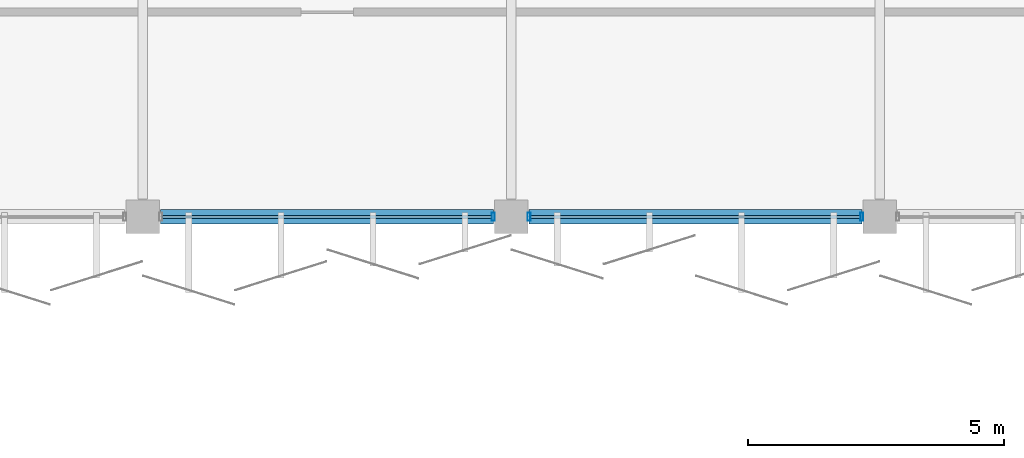
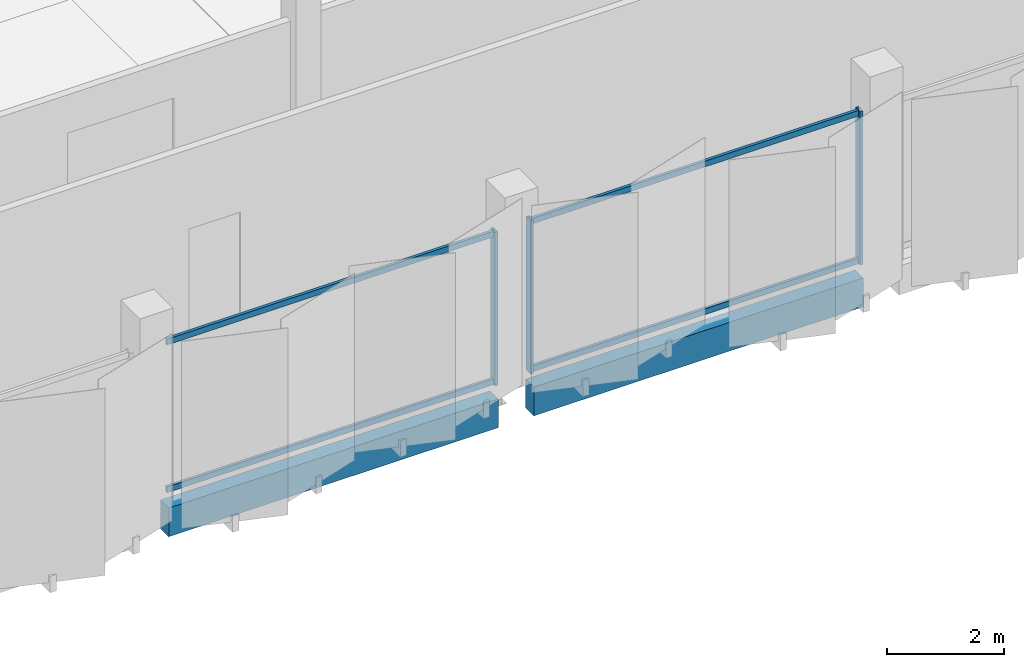
# One storey, part 31 of 108: 7 members, 2 beams, 2 elements without a shape of their own.
"""IFC4 building model written with IfcOpenShell, lengths in metres."""

from ifc_helpers import new_model, si_unit, direction, frame, origin, origin_2d, place, context, subcontext, project, spatial, rectangle, hollow_rectangle, extrude, material, layer, layer_set, material_profile, profile_set, type_object, element, aggregate, save


model = new_model("IFC4")

# Units and contexts
model_context = context("Model", 3, precision=1e-05, world=origin(), true_north=direction((0.0, 1.0)))
body_context = subcontext(model_context, "Body", "Model", "MODEL_VIEW")
ifc_project = project(units=[si_unit("LENGTHUNIT", "METRE"), si_unit("AREAUNIT", "SQUARE_METRE"), si_unit("VOLUMEUNIT", "CUBIC_METRE"), si_unit("PLANEANGLEUNIT", "RADIAN"), si_unit("MASSUNIT", "GRAM", prefix="KILO")], contexts=[model_context])

# Site, building, storey
site_placement = place(None, origin())
site = spatial("IfcSite", under=ifc_project, at=site_placement, CompositionType="ELEMENT")
building_placement = place(site_placement, origin())
building = spatial("IfcBuilding", under=site, at=building_placement, Name="Kangsadwip Square Police Headquarters", CompositionType="ELEMENT")
storey_placement = place(building_placement, frame((0.0, 0.0, 9.449951171875)))
storey = spatial("IfcBuildingStorey", under=building, at=storey_placement, Name="L02", CompositionType="ELEMENT", Elevation=9.449951171875)

# Curtain wall, member
ifc_material_1 = material(Name="Thermally broken anodised aluminium AW-6063-T6", Category="aluminium")
ifc_layer = layer(ifc_material_1, 0.159912109375)
ifc_layer_set = layer_set([ifc_layer], Name="Thermally broken anodised aluminium AW-6063-T6")
curtain_wall_type = type_object("IfcCurtainWallType", Name="CourtScreen6560x3200", PredefinedType="USERDEFINED", material=ifc_layer_set)
curtain_wall_1_placement = place(storey_placement, origin())
curtain_wall_1 = element("IfcCurtainWall", 1, at=curtain_wall_1_placement, inside=storey, type_object=curtain_wall_type, Name="Curtain Wall CW-L02-1011-0936", ObjectType="GLAZED_SCREEN", PredefinedType="USERDEFINED")
ifc_material_2 = material(Name="Thermally broken anodised aluminium AW-6063-T6", Category="aluminium")
ifc_material_profile_1 = material_profile(ifc_material_2, hollow_rectangle(XDim=0.06005859375, YDim=0.159912109375, WallThickness=0.00390625, at=origin_2d()), Name="CWM 160X60X4")
ifc_profile_set_1 = profile_set([ifc_material_profile_1], Name="Thermally broken anodised aluminium AW-6063-T6")
member_type_1 = type_object("IfcMemberType", Name="CwMullion135x60", PredefinedType="MULLION", material=ifc_profile_set_1)
member_1_placement = place(storey_placement, frame((107.64990234375, 93.60009765625, 0.0), z_axis=(0.0, 0.0, 1.0), x_axis=(1.0, 0.0, 0.0)))
member_1 = element("IfcMember", 2, at=member_1_placement, type_object=member_type_1, Name="CW-33 mullion 2", PredefinedType="MULLION", context=body_context, shape_type="SweptSolid", body=[
    extrude(hollow_rectangle(XDim=0.06005859375, YDim=0.159912109375, WallThickness=0.00390625, at=origin_2d()), origin(), (0.0, 0.0, 1.0), 3.199951171875),
])

# Curtain wall, members
curtain_wall_2_placement = place(storey_placement, origin())
curtain_wall_2 = element("IfcCurtainWall", 3, at=curtain_wall_2_placement, inside=storey, type_object=curtain_wall_type, Name="Curtain Wall CW-L02-1083-0936", ObjectType="GLAZED_SCREEN", PredefinedType="USERDEFINED")
member_2_placement = place(storey_placement, frame((108.35009765625, 93.60009765625, 0.0), z_axis=(0.0, 0.0, 1.0), x_axis=(1.0, 0.0, 0.0)))
member_2 = element("IfcMember", 4, at=member_2_placement, type_object=member_type_1, Name="CW-33 mullion 1", PredefinedType="MULLION", context=body_context, shape_type="SweptSolid", body=[
    extrude(hollow_rectangle(XDim=0.06005859375, YDim=0.159912109375, WallThickness=0.00390625, at=origin_2d()), origin(), (0.0, 0.0, 1.0), 3.199951171875),
])
member_3_placement = place(storey_placement, frame((114.85009765625, 93.60009765625, 0.0), z_axis=(0.0, 0.0, 1.0), x_axis=(1.0, 0.0, 0.0)))
member_3 = element("IfcMember", 5, at=member_3_placement, type_object=member_type_1, Name="CW-33 mullion 2", PredefinedType="MULLION", context=body_context, shape_type="SweptSolid", body=[
    extrude(hollow_rectangle(XDim=0.06005859375, YDim=0.159912109375, WallThickness=0.00390625, at=origin_2d()), origin(), (0.0, 0.0, 1.0), 3.199951171875),
])

# Member
ifc_material_3 = material(Name="Thermally broken anodised aluminium AW-6063-T6", Category="aluminium")
ifc_material_profile_2 = material_profile(ifc_material_3, hollow_rectangle(XDim=0.06005859375, YDim=0.1201171875, WallThickness=0.00390625, at=origin_2d()), Name="CWT 120X60X4")
ifc_profile_set_2 = profile_set([ifc_material_profile_2], Name="Thermally broken anodised aluminium AW-6063-T6")
member_type_2 = type_object("IfcMemberType", Name="CwTransom120x55", PredefinedType="USERDEFINED", material=ifc_profile_set_2)
member_4_placement = place(storey_placement, frame((101.179931640625, 93.60009765625, 0.06005859375), z_axis=(1.0, 0.0, 0.0), x_axis=(0.0, 1.0, 0.0)))
member_4 = element("IfcMember", 6, at=member_4_placement, type_object=member_type_2, Name="CW-33 transom 1.1", ObjectType="TRANSOM", PredefinedType="USERDEFINED", context=body_context, shape_type="SweptSolid", body=[
    extrude(hollow_rectangle(XDim=0.06005859375, YDim=0.1201171875, WallThickness=0.00390625, at=origin_2d()), origin(), (0.0, 0.0, 1.0), 6.440185546875),
])

member_5_placement = place(storey_placement, frame((101.179931640625, 93.60009765625, 3.14013671875), z_axis=(1.0, 0.0, 0.0), x_axis=(0.0, 1.0, 0.0)))
member_5 = element("IfcMember", 7, at=member_5_placement, type_object=member_type_2, Name="CW-33 transom 1.2", ObjectType="TRANSOM", PredefinedType="USERDEFINED", context=body_context, shape_type="SweptSolid", body=[
    extrude(hollow_rectangle(XDim=0.06005859375, YDim=0.1201171875, WallThickness=0.00390625, at=origin_2d()), origin(), (0.0, 0.0, 1.0), 6.440185546875),
])

aggregate(curtain_wall_1, [member_1, member_4, member_5])

member_6_placement = place(storey_placement, frame((108.3798828125, 93.60009765625, 0.06005859375), z_axis=(1.0, 0.0, 0.0), x_axis=(0.0, 1.0, 0.0)))
member_6 = element("IfcMember", 8, at=member_6_placement, type_object=member_type_2, Name="CW-33 transom 1.1", ObjectType="TRANSOM", PredefinedType="USERDEFINED", context=body_context, shape_type="SweptSolid", body=[
    extrude(hollow_rectangle(XDim=0.06005859375, YDim=0.1201171875, WallThickness=0.00390625, at=origin_2d()), origin(), (0.0, 0.0, 1.0), 6.440185546875),
])

member_7_placement = place(storey_placement, frame((108.3798828125, 93.60009765625, 3.14013671875), z_axis=(1.0, 0.0, 0.0), x_axis=(0.0, 1.0, 0.0)))
member_7 = element("IfcMember", 9, at=member_7_placement, type_object=member_type_2, Name="CW-33 transom 1.2", ObjectType="TRANSOM", PredefinedType="USERDEFINED", context=body_context, shape_type="SweptSolid", body=[
    extrude(hollow_rectangle(XDim=0.06005859375, YDim=0.1201171875, WallThickness=0.00390625, at=origin_2d()), origin(), (0.0, 0.0, 1.0), 6.440185546875),
])

aggregate(curtain_wall_2, [member_2, member_3, member_6, member_7])

# Beams
ifc_material_4 = material(Name="Concrete M40 (40 MPa)", Category="concrete")
ifc_material_profile_3 = material_profile(ifc_material_4, rectangle(XDim=0.280029296875, YDim=0.60009765625, at=origin_2d()), Name="RC SPN 600X280")
ifc_profile_set_3 = profile_set([ifc_material_profile_3], Name="Concrete M40 (40 MPa)")
beam_type = type_object("IfcBeamType", Name="RcSpandrel600x280", PredefinedType="SPANDREL", material=ifc_profile_set_3)
for number, where, z_axis, x_axis, name in (
    (10, (101.14990234375, 93.60009765625, -0.5400390625), (1.0, 0.0, 0.0), (0.0, 1.0, 0.0), "Beam BM-L02-X-14-13"),
    (11, (108.35009765625, 93.60009765625, -0.5400390625), (1.0, 0.0, 0.0), (0.0, 1.0, 0.0), "Beam BM-L02-X-15-13"),
):
    element("IfcBeam", number, at=place(storey_placement, frame(where, z_axis=z_axis, x_axis=x_axis)), inside=storey, type_object=beam_type, Name=name, PredefinedType="SPANDREL", context=body_context, shape_type="SweptSolid", body=[
        extrude(rectangle(XDim=0.280029296875, YDim=0.60009765625, at=origin_2d()), origin(), (0.0, 0.0, 1.0), 6.5),
    ])

save(model, "model.ifc")
